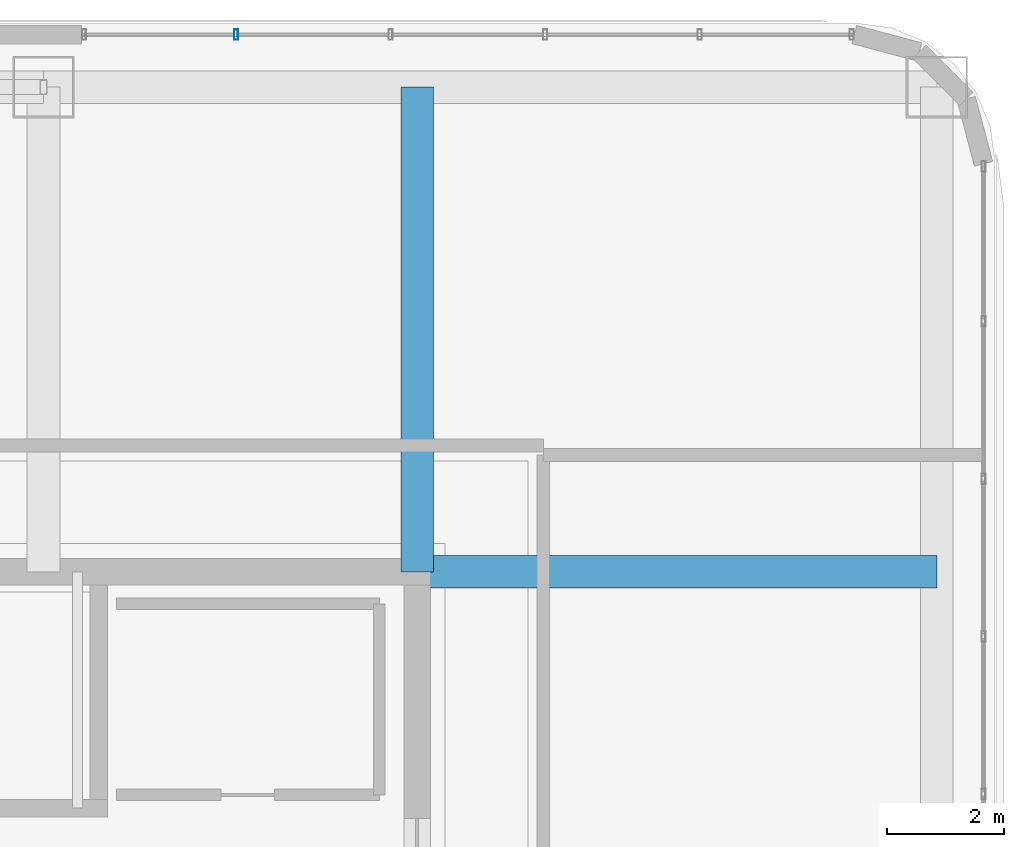
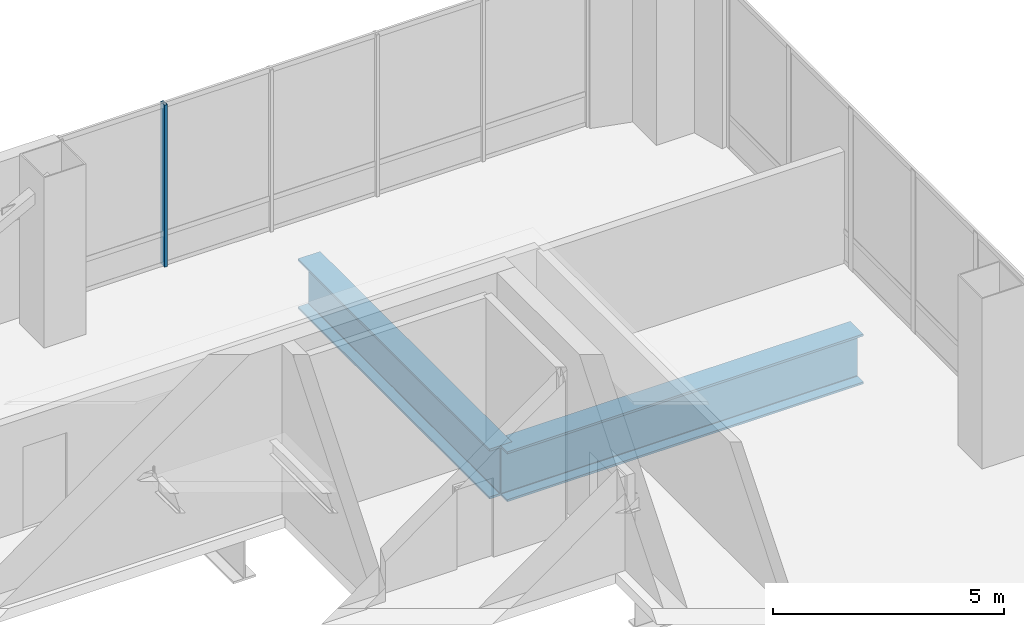
# One storey, part 22 of 33: 2 beams, 1 member, 1 element without a shape of its own.
"""IFC4 building model written with IfcOpenShell, lengths in metres."""

import ifcopenshell
import ifcopenshell.guid

model = None  # the IFC model being written
_history = None  # IfcOwnerHistory: only IFC2X3 demands one
_inside = {}  # id of a spatial element -> (the spatial element, [elements in it])
_under = {}  # id of a project, library or spatial element -> (it, [spatial elements below it])
_declared = {}  # id of a project -> (the project, [libraries it declares])
_typed = {}  # id of a type object -> (the type object, [elements of that type])
_made_of = {}  # id of a material, layer set ... -> (it, [elements and type objects made of it])


def new_model(schema):
    """Start an empty IFC model of exactly this schema.

    Asked for "IFC4X3", IfcOpenShell would pick the latest addendum, in which some entities
    have other attributes; the version numbers below select the first issue.
    IFC2X3 requires an IfcOwnerHistory on every rooted entity: one is made here for all.
    """
    global model, _history
    if schema == "IFC4X3":
        model = ifcopenshell.file(schema_version=(4, 3, 0, 0))
    else:
        model = ifcopenshell.file(schema=schema)
    _inside.clear()
    _under.clear()
    _declared.clear()
    _typed.clear()
    _made_of.clear()
    _history = None
    if model.schema == "IFC2X3":
        org = make("IfcOrganization", Name="unknown")
        user = make(
            "IfcPersonAndOrganization",
            ThePerson=make("IfcPerson", FamilyName="unknown"),
            TheOrganization=org,
        )
        app = make(
            "IfcApplication",
            ApplicationDeveloper=org,
            Version="unknown",
            ApplicationFullName="unknown",
            ApplicationIdentifier="unknown",
        )
        _history = make(
            "IfcOwnerHistory",
            OwningUser=user,
            OwningApplication=app,
            ChangeAction="ADDED",
            CreationDate=0,
        )
    return model


def make(cls, **values):
    """One entity of the class cls with the attributes given. An attribute that is None is left unset."""
    return model.create_entity(
        cls, **{name: value for name, value in values.items() if value is not None}
    )


def rooted(cls, **values):
    """An entity with a GlobalId (a new one), such as an element, a storey or a relation."""
    return make(cls, GlobalId=ifcopenshell.guid.new(), OwnerHistory=_history, **values)


def si_unit(unit_type, name, prefix=None):
    """IfcSIUnit, for example si_unit("LENGTHUNIT", "METRE", prefix="MILLI")."""
    return make("IfcSIUnit", UnitType=unit_type, Prefix=prefix, Name=name)


def assignment(units):
    """IfcUnitAssignment: the units of a project."""
    return None if units is None else make("IfcUnitAssignment", Units=units)


def point(xyz):
    """IfcCartesianPoint."""
    return None if xyz is None else make("IfcCartesianPoint", Coordinates=xyz)


def direction(xyz):
    """IfcDirection."""
    return None if xyz is None else make("IfcDirection", DirectionRatios=xyz)


def frame(location, z_axis=None, x_axis=None):
    """IfcAxis2Placement3D, a coordinate frame: its origin and axes. An axis left out is left unset."""
    return make(
        "IfcAxis2Placement3D",
        Location=point(location),
        Axis=direction(z_axis),
        RefDirection=direction(x_axis),
    )


def frame_2d(location, x_axis=None):
    """IfcAxis2Placement2D, a coordinate frame in the plane: its origin and x axis."""
    return make(
        "IfcAxis2Placement2D", Location=point(location), RefDirection=direction(x_axis)
    )


def origin():
    """The frame at (0, 0, 0) with its axes left unset."""
    return frame((0.0, 0.0, 0.0))


def origin_2d():
    """The frame at (0, 0) in the plane with its x axis left unset."""
    return frame_2d((0.0, 0.0))


def place(relative_to, where):
    """IfcLocalPlacement: puts the frame where relative to a parent placement (None: the world)."""
    return make(
        "IfcLocalPlacement", PlacementRelTo=relative_to, RelativePlacement=where
    )


def context(
    kind, dimensions, precision=None, world=None, true_north=None, identifier=None
):
    """IfcGeometricRepresentationContext, for example the 3D "Model" context."""
    return make(
        "IfcGeometricRepresentationContext",
        ContextIdentifier=identifier,
        ContextType=kind,
        CoordinateSpaceDimension=dimensions,
        Precision=precision,
        WorldCoordinateSystem=world,
        TrueNorth=true_north,
    )


def subcontext(parent, identifier, kind, view, scale=None):
    """IfcGeometricRepresentationSubContext, for example "Body" below "Model"."""
    return make(
        "IfcGeometricRepresentationSubContext",
        ContextIdentifier=identifier,
        ContextType=kind,
        ParentContext=parent,
        TargetScale=scale,
        TargetView=view,
    )


def project(units=None, contexts=None):
    """IfcProject with its units and contexts."""
    return rooted(
        "IfcProject",
        Name="project",
        RepresentationContexts=contexts,
        UnitsInContext=assignment(units),
    )


def spatial(cls, under=None, at=None, **own):
    """A site, building, storey or space (cls), placed at a placement, below another one or the project."""
    s = rooted(cls, ObjectPlacement=at, **own)
    if under is not None:
        _under.setdefault(under.id(), (under, []))[1].append(s)
    return s


def profile(cls, at=None, kind="AREA", **sizes):
    """A parametric profile (cls). Its sizes go by their IFC names, for example OverallWidth=200.0."""
    return make(cls, ProfileType=kind, Position=at, **sizes)


def hollow_rectangle(**sizes):
    """IfcRectangleHollowProfileDef."""
    return profile("IfcRectangleHollowProfileDef", **sizes)


def i_section(**sizes):
    """IfcIShapeProfileDef."""
    return profile("IfcIShapeProfileDef", **sizes)


def extrude(swept, where, along, depth):
    """IfcExtrudedAreaSolid: the profile swept, set in the frame where, extruded along a direction by depth."""
    return make(
        "IfcExtrudedAreaSolid",
        SweptArea=swept,
        Position=where,
        ExtrudedDirection=direction(along),
        Depth=depth,
    )


def shape(context_of_items, identifier, shape_type, items):
    """IfcShapeRepresentation: the items that make up one representation, for example the "Body"."""
    return make(
        "IfcShapeRepresentation",
        ContextOfItems=context_of_items,
        RepresentationIdentifier=identifier,
        RepresentationType=shape_type,
        Items=items,
    )


def material(Name=None, Category=None):
    """IfcMaterial."""
    return make("IfcMaterial", Name=Name, Category=Category)


def material_profile(
    of_material, cross_section, Name=None, Category=None, Priority=None
):
    """IfcMaterialProfile: a cross section and its material."""
    return make(
        "IfcMaterialProfile",
        Name=Name,
        Material=of_material,
        Profile=cross_section,
        Priority=Priority,
        Category=Category,
    )


def profile_set(profiles, Name=None, composite=None):
    """IfcMaterialProfileSet."""
    return make(
        "IfcMaterialProfileSet",
        Name=Name,
        MaterialProfiles=profiles,
        CompositeProfile=composite,
    )


def made_of(thing, what):
    """Note that an element or type object is made of a material, layer set ...; save() writes the relation."""
    if what is not None:
        _made_of.setdefault(what.id(), (what, []))[1].append(thing)
    return thing


def type_object(cls, material=None, **own):
    """A type object (cls), such as IfcWallType, which elements share."""
    return made_of(rooted(cls, **own), material)


def element(
    cls,
    number,
    at=None,
    inside=None,
    cuts=None,
    type_object=None,
    material=None,
    context=None,
    identifier="Body",
    shape_type=None,
    held_by="IfcProductDefinitionShape",
    body=None,
    shapes=None,
    **own,
):
    """One element of the class cls, such as IfcWall. Its Tag is "e" and its number.

    at: its placement. inside: the storey or other place that contains it. cuts: it is an
    opening in that element (IfcRelVoidsElement). A single representation is given by context,
    identifier, shape_type and body (its items); several are given by shapes. held_by: the class
    of the entity that holds the representations. save() writes the other relations.
    """
    e = rooted(cls, Tag="e%d" % number, ObjectPlacement=at, **own)
    if body is not None:
        shapes = [shape(context, identifier, shape_type, body)]
    if shapes is not None:
        e.Representation = make(held_by, Representations=shapes)
    if inside is not None:
        _inside.setdefault(inside.id(), (inside, []))[1].append(e)
    if cuts is not None:
        rooted(
            "IfcRelVoidsElement", RelatingBuildingElement=cuts, RelatedOpeningElement=e
        )
    if type_object is not None:
        _typed.setdefault(type_object.id(), (type_object, []))[1].append(e)
    return made_of(e, material)


def aggregate(whole, parts):
    """IfcRelAggregates: a whole, such as a stair, and the parts it consists of."""
    return rooted("IfcRelAggregates", RelatingObject=whole, RelatedObjects=parts)


def save(model, path):
    """Write the relations noted so far, then the file.

    IfcRelAggregates (storeys below a building ...), IfcRelContainedInSpatialStructure (elements
    in a storey), IfcRelDefinesByType, IfcRelAssociatesMaterial and IfcRelDeclares: one each for
    every whole, place, type object, material and project.
    """
    for whole, parts in _under.values():
        aggregate(whole, parts)
    for where, things in _inside.values():
        rooted(
            "IfcRelContainedInSpatialStructure",
            RelatedElements=things,
            RelatingStructure=where,
        )
    for kind, things in _typed.values():
        rooted("IfcRelDefinesByType", RelatedObjects=things, RelatingType=kind)
    for what, things in _made_of.values():
        rooted("IfcRelAssociatesMaterial", RelatedObjects=things, RelatingMaterial=what)
    for by, libraries in _declared.values():
        rooted("IfcRelDeclares", RelatingContext=by, RelatedDefinitions=libraries)
    model.write(path)


model = new_model("IFC4")

# Units and contexts
model_context = context("Model", 3, precision=1e-05, world=origin(), true_north=direction((0.0, 1.0)))
body_context = subcontext(model_context, "Body", "Model", "MODEL_VIEW")
ifc_project = project(units=[si_unit("LENGTHUNIT", "METRE"), si_unit("AREAUNIT", "SQUARE_METRE"), si_unit("VOLUMEUNIT", "CUBIC_METRE"), si_unit("PLANEANGLEUNIT", "RADIAN"), si_unit("MASSUNIT", "GRAM", prefix="KILO")], contexts=[model_context])

# Site, building, storey
site_placement = place(None, origin())
site = spatial("IfcSite", under=ifc_project, at=site_placement, CompositionType="ELEMENT")
building_placement = place(site_placement, origin())
building = spatial("IfcBuilding", under=site, at=building_placement, Name="Punatoya Terracotta Tower", CompositionType="ELEMENT")
storey_placement = place(building_placement, frame((0.0, 0.0, 343.800048828125)))
storey = spatial("IfcBuildingStorey", under=building, at=storey_placement, Name="L81", CompositionType="ELEMENT", Elevation=343.800048828125)

# Beams
ifc_material_1 = material(Name="Steel S460", Category="steel")
ifc_material_profile_1 = material_profile(ifc_material_1, i_section(OverallWidth=0.56005859375, OverallDepth=1.320068359375, WebThickness=0.035888671875, FlangeThickness=0.054931640625, FilletRadius=0.01806640625, at=origin_2d()))
ifc_profile_set_1 = profile_set([ifc_material_profile_1], Name="Steel S460")
beam_type = type_object("IfcBeamType", Name="BM-TG-BLK", PredefinedType="BEAM", material=ifc_profile_set_1)
beam_1_placement = place(storey_placement, frame((10.199951171875, 9.199951171875, -0.93994140625), z_axis=(1.0, 0.0, 0.0), x_axis=(0.0, 1.0, 0.0)))
element("IfcBeam", 1, at=beam_1_placement, inside=storey, type_object=beam_type, Name="BM-L81-PR-EN", PredefinedType="BEAM", context=body_context, shape_type="SweptSolid", body=[
    extrude(i_section(OverallWidth=0.56005859375, OverallDepth=1.320068359375, WebThickness=0.035888671875, FlangeThickness=0.054931640625, FilletRadius=0.01806640625, at=origin_2d()), origin(), (0.0, 0.0, 1.0), 8.900146484375),
])
beam_2_placement = place(storey_placement, frame((10.199951171875, 9.199951171875, -0.93994140625), z_axis=(0.0, 1.0, 0.0), x_axis=(-1.0, 0.0, 0.0)))
element("IfcBeam", 2, at=beam_2_placement, inside=storey, type_object=beam_type, Name="BM-L81-PR-N4", PredefinedType="BEAM", context=body_context, shape_type="SweptSolid", body=[
    extrude(i_section(OverallWidth=0.56005859375, OverallDepth=1.320068359375, WebThickness=0.035888671875, FlangeThickness=0.054931640625, FilletRadius=0.01806640625, at=origin_2d()), origin(), (0.0, 0.0, 1.0), 8.300048828125),
])

# Curtain wall, member
ifc_material_2 = material(Name="Aluminium 6063-T6 + Double Low-E Glass", Category="aluminium")
curtain_wall_type = type_object("IfcCurtainWallType", Name="CW-CRN", PredefinedType="NOTDEFINED", material=ifc_material_2)
curtain_wall_placement = place(storey_placement, origin())
curtain_wall = element("IfcCurtainWall", 3, at=curtain_wall_placement, inside=storey, type_object=curtain_wall_type, Name="L81 Curtain Wall CW-L81-N09-1", PredefinedType="NOTDEFINED")
ifc_material_3 = material(Name="Aluminium 6063-T6", Category="aluminium")
ifc_material_profile_2 = material_profile(ifc_material_3, hollow_rectangle(XDim=0.070068359375, YDim=0.179931640625, WallThickness=0.00390625, at=origin_2d()))
ifc_profile_set_2 = profile_set([ifc_material_profile_2], Name="Aluminium 6063-T6")
member_type = type_object("IfcMemberType", Name="CW-MUL-M3", PredefinedType="MULLION", material=ifc_profile_set_2)
member_placement = place(storey_placement, frame((7.097412109375, 18.39990234375, 0.0), z_axis=(0.0, 0.0, 1.0), x_axis=(1.0, 0.0, 0.0)))
member = element("IfcMember", 4, at=member_placement, type_object=member_type, Name="CW-L81-N09-1 Mullion 04", PredefinedType="MULLION", context=body_context, shape_type="SweptSolid", body=[
    extrude(hollow_rectangle(XDim=0.070068359375, YDim=0.179931640625, WallThickness=0.00390625, at=origin_2d()), origin(), (0.0, 0.0, 1.0), 4.280029296875),
])
aggregate(curtain_wall, [member])

save(model, "model.ifc")
